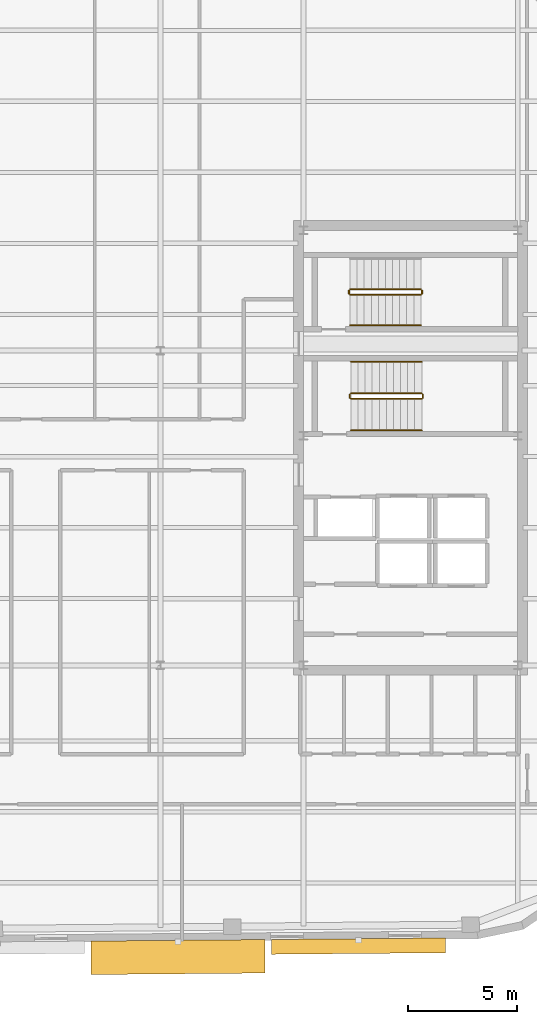
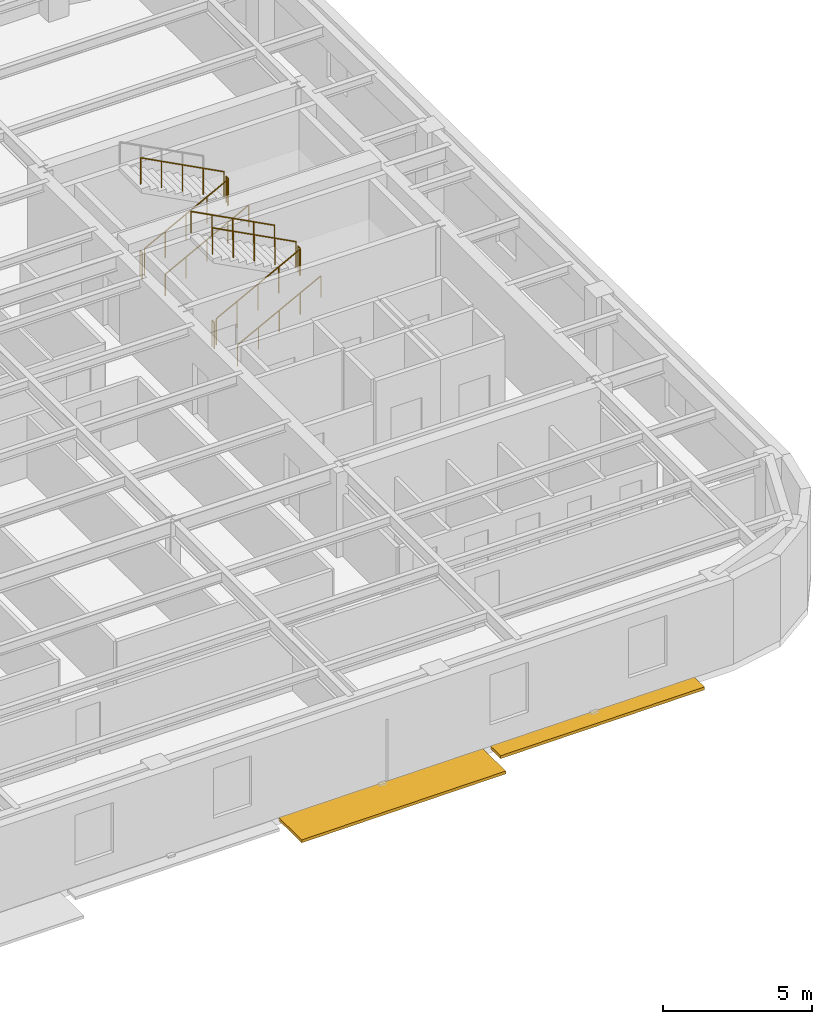
# One storey, part 12 of 13: 11 railings, 2 shading devices.
"""IFC4 building model written with IfcOpenShell, lengths in metres."""

import ifcopenshell
import ifcopenshell.guid

model = None  # the IFC model being written
_history = None  # IfcOwnerHistory: only IFC2X3 demands one
_inside = {}  # id of a spatial element -> (the spatial element, [elements in it])
_under = {}  # id of a project, library or spatial element -> (it, [spatial elements below it])
_declared = {}  # id of a project -> (the project, [libraries it declares])
_typed = {}  # id of a type object -> (the type object, [elements of that type])
_made_of = {}  # id of a material, layer set ... -> (it, [elements and type objects made of it])


def new_model(schema):
    """Start an empty IFC model of exactly this schema.

    Asked for "IFC4X3", IfcOpenShell would pick the latest addendum, in which some entities
    have other attributes; the version numbers below select the first issue.
    IFC2X3 requires an IfcOwnerHistory on every rooted entity: one is made here for all.
    """
    global model, _history
    if schema == "IFC4X3":
        model = ifcopenshell.file(schema_version=(4, 3, 0, 0))
    else:
        model = ifcopenshell.file(schema=schema)
    _inside.clear()
    _under.clear()
    _declared.clear()
    _typed.clear()
    _made_of.clear()
    _history = None
    if model.schema == "IFC2X3":
        org = make("IfcOrganization", Name="unknown")
        user = make(
            "IfcPersonAndOrganization",
            ThePerson=make("IfcPerson", FamilyName="unknown"),
            TheOrganization=org,
        )
        app = make(
            "IfcApplication",
            ApplicationDeveloper=org,
            Version="unknown",
            ApplicationFullName="unknown",
            ApplicationIdentifier="unknown",
        )
        _history = make(
            "IfcOwnerHistory",
            OwningUser=user,
            OwningApplication=app,
            ChangeAction="ADDED",
            CreationDate=0,
        )
    return model


def make(cls, **values):
    """One entity of the class cls with the attributes given. An attribute that is None is left unset."""
    return model.create_entity(
        cls, **{name: value for name, value in values.items() if value is not None}
    )


def rooted(cls, **values):
    """An entity with a GlobalId (a new one), such as an element, a storey or a relation."""
    return make(cls, GlobalId=ifcopenshell.guid.new(), OwnerHistory=_history, **values)


def si_unit(unit_type, name, prefix=None):
    """IfcSIUnit, for example si_unit("LENGTHUNIT", "METRE", prefix="MILLI")."""
    return make("IfcSIUnit", UnitType=unit_type, Prefix=prefix, Name=name)


def assignment(units):
    """IfcUnitAssignment: the units of a project."""
    return None if units is None else make("IfcUnitAssignment", Units=units)


def point(xyz):
    """IfcCartesianPoint."""
    return None if xyz is None else make("IfcCartesianPoint", Coordinates=xyz)


def direction(xyz):
    """IfcDirection."""
    return None if xyz is None else make("IfcDirection", DirectionRatios=xyz)


def frame(location, z_axis=None, x_axis=None):
    """IfcAxis2Placement3D, a coordinate frame: its origin and axes. An axis left out is left unset."""
    return make(
        "IfcAxis2Placement3D",
        Location=point(location),
        Axis=direction(z_axis),
        RefDirection=direction(x_axis),
    )


def frame_2d(location, x_axis=None):
    """IfcAxis2Placement2D, a coordinate frame in the plane: its origin and x axis."""
    return make(
        "IfcAxis2Placement2D", Location=point(location), RefDirection=direction(x_axis)
    )


def origin():
    """The frame at (0, 0, 0) with its axes left unset."""
    return frame((0.0, 0.0, 0.0))


def origin_2d():
    """The frame at (0, 0) in the plane with its x axis left unset."""
    return frame_2d((0.0, 0.0))


def place(relative_to, where):
    """IfcLocalPlacement: puts the frame where relative to a parent placement (None: the world)."""
    return make(
        "IfcLocalPlacement", PlacementRelTo=relative_to, RelativePlacement=where
    )


def context(
    kind, dimensions, precision=None, world=None, true_north=None, identifier=None
):
    """IfcGeometricRepresentationContext, for example the 3D "Model" context."""
    return make(
        "IfcGeometricRepresentationContext",
        ContextIdentifier=identifier,
        ContextType=kind,
        CoordinateSpaceDimension=dimensions,
        Precision=precision,
        WorldCoordinateSystem=world,
        TrueNorth=true_north,
    )


def subcontext(parent, identifier, kind, view, scale=None):
    """IfcGeometricRepresentationSubContext, for example "Body" below "Model"."""
    return make(
        "IfcGeometricRepresentationSubContext",
        ContextIdentifier=identifier,
        ContextType=kind,
        ParentContext=parent,
        TargetScale=scale,
        TargetView=view,
    )


def project(units=None, contexts=None):
    """IfcProject with its units and contexts."""
    return rooted(
        "IfcProject",
        Name="project",
        RepresentationContexts=contexts,
        UnitsInContext=assignment(units),
    )


def spatial(cls, under=None, at=None, **own):
    """A site, building, storey or space (cls), placed at a placement, below another one or the project."""
    s = rooted(cls, ObjectPlacement=at, **own)
    if under is not None:
        _under.setdefault(under.id(), (under, []))[1].append(s)
    return s


def profile(cls, at=None, kind="AREA", **sizes):
    """A parametric profile (cls). Its sizes go by their IFC names, for example OverallWidth=200.0."""
    return make(cls, ProfileType=kind, Position=at, **sizes)


def rectangle(**sizes):
    """IfcRectangleProfileDef."""
    return profile("IfcRectangleProfileDef", **sizes)


def circle(**sizes):
    """IfcCircleProfileDef."""
    return profile("IfcCircleProfileDef", **sizes)


def extrude(swept, where, along, depth):
    """IfcExtrudedAreaSolid: the profile swept, set in the frame where, extruded along a direction by depth."""
    return make(
        "IfcExtrudedAreaSolid",
        SweptArea=swept,
        Position=where,
        ExtrudedDirection=direction(along),
        Depth=depth,
    )


def shape(context_of_items, identifier, shape_type, items):
    """IfcShapeRepresentation: the items that make up one representation, for example the "Body"."""
    return make(
        "IfcShapeRepresentation",
        ContextOfItems=context_of_items,
        RepresentationIdentifier=identifier,
        RepresentationType=shape_type,
        Items=items,
    )


def material(Name=None, Category=None):
    """IfcMaterial."""
    return make("IfcMaterial", Name=Name, Category=Category)


def made_of(thing, what):
    """Note that an element or type object is made of a material, layer set ...; save() writes the relation."""
    if what is not None:
        _made_of.setdefault(what.id(), (what, []))[1].append(thing)
    return thing


def type_object(cls, material=None, **own):
    """A type object (cls), such as IfcWallType, which elements share."""
    return made_of(rooted(cls, **own), material)


def element(
    cls,
    number,
    at=None,
    inside=None,
    cuts=None,
    type_object=None,
    material=None,
    context=None,
    identifier="Body",
    shape_type=None,
    held_by="IfcProductDefinitionShape",
    body=None,
    shapes=None,
    **own,
):
    """One element of the class cls, such as IfcWall. Its Tag is "e" and its number.

    at: its placement. inside: the storey or other place that contains it. cuts: it is an
    opening in that element (IfcRelVoidsElement). A single representation is given by context,
    identifier, shape_type and body (its items); several are given by shapes. held_by: the class
    of the entity that holds the representations. save() writes the other relations.
    """
    e = rooted(cls, Tag="e%d" % number, ObjectPlacement=at, **own)
    if body is not None:
        shapes = [shape(context, identifier, shape_type, body)]
    if shapes is not None:
        e.Representation = make(held_by, Representations=shapes)
    if inside is not None:
        _inside.setdefault(inside.id(), (inside, []))[1].append(e)
    if cuts is not None:
        rooted(
            "IfcRelVoidsElement", RelatingBuildingElement=cuts, RelatedOpeningElement=e
        )
    if type_object is not None:
        _typed.setdefault(type_object.id(), (type_object, []))[1].append(e)
    return made_of(e, material)


def aggregate(whole, parts):
    """IfcRelAggregates: a whole, such as a stair, and the parts it consists of."""
    return rooted("IfcRelAggregates", RelatingObject=whole, RelatedObjects=parts)


def save(model, path):
    """Write the relations noted so far, then the file.

    IfcRelAggregates (storeys below a building ...), IfcRelContainedInSpatialStructure (elements
    in a storey), IfcRelDefinesByType, IfcRelAssociatesMaterial and IfcRelDeclares: one each for
    every whole, place, type object, material and project.
    """
    for whole, parts in _under.values():
        aggregate(whole, parts)
    for where, things in _inside.values():
        rooted(
            "IfcRelContainedInSpatialStructure",
            RelatedElements=things,
            RelatingStructure=where,
        )
    for kind, things in _typed.values():
        rooted("IfcRelDefinesByType", RelatedObjects=things, RelatingType=kind)
    for what, things in _made_of.values():
        rooted("IfcRelAssociatesMaterial", RelatedObjects=things, RelatingMaterial=what)
    for by, libraries in _declared.values():
        rooted("IfcRelDeclares", RelatingContext=by, RelatedDefinitions=libraries)
    model.write(path)


model = new_model("IFC4")

# Units and contexts
model_context = context("Model", 3, precision=1e-05, world=origin(), true_north=direction((0.0, 1.0)))
body_context = subcontext(model_context, "Body", "Model", "MODEL_VIEW")
ifc_project = project(units=[si_unit("LENGTHUNIT", "METRE"), si_unit("AREAUNIT", "SQUARE_METRE"), si_unit("VOLUMEUNIT", "CUBIC_METRE"), si_unit("PLANEANGLEUNIT", "RADIAN"), si_unit("MASSUNIT", "GRAM", prefix="KILO")], contexts=[model_context])

# Site, building, storey
site_placement = place(None, origin())
site = spatial("IfcSite", under=ifc_project, at=site_placement, CompositionType="ELEMENT")
building_placement = place(site_placement, origin())
building = spatial("IfcBuilding", under=site, at=building_placement, Name="Kolvaren Arena Tower", CompositionType="ELEMENT")
storey_placement = place(building_placement, frame((0.0, 0.0, 301.14990234375)))
storey = spatial("IfcBuildingStorey", under=building, at=storey_placement, Name="L74", CompositionType="ELEMENT", Elevation=301.14990234375)

# Railings
ifc_material_1 = material(Name="Painted galvanized steel", Category="steel")
railing_type_1 = type_object("IfcRailingType", Name="GUARD-ST-110", PredefinedType="GUARDRAIL", material=ifc_material_1)
railing_1_placement = place(storey_placement, frame((52.719970703125, 31.639892578125, 0.170654296875)))
element("IfcRailing", 1, at=railing_1_placement, inside=storey, type_object=railing_type_1, Name="L74 ST-E1 stair guard 1", PredefinedType="GUARDRAIL", context=body_context, shape_type="SweptSolid", body=[
    extrude(circle(Radius=0.02392578125, at=origin_2d()), frame((0.0, 0.0, 1.076171875), z_axis=(0.885020909582, 0.0, 0.465551274945), x_axis=(0.0, 1.0, 0.0)), (0.0, 0.0, 1.0), 3.660888671875),
    extrude(circle(Radius=0.02099609375, at=origin_2d()), origin(), (0.0, 0.0, 1.0), 1.052001953125),
    extrude(circle(Radius=0.02099609375, at=origin_2d()), frame((0.81005859375, 0.0, 0.426025390625)), (0.0, 0.0, 1.0), 1.052001953125),
    extrude(circle(Radius=0.02099609375, at=origin_2d()), frame((1.6201171875, 0.0, 0.85205078125)), (0.0, 0.0, 1.0), 1.052001953125),
    extrude(circle(Radius=0.02099609375, at=origin_2d()), frame((2.429931640625, 0.0, 1.2783203125)), (0.0, 0.0, 1.0), 1.052001953125),
    extrude(circle(Radius=0.02099609375, at=origin_2d()), frame((3.239990234375, 0.0, 1.704345703125)), (0.0, 0.0, 1.0), 1.052001953125),
])
railing_2_placement = place(storey_placement, frame((56.010009765625, 31.68994140625, 1.875)))
element("IfcRailing", 2, at=railing_2_placement, inside=storey, type_object=railing_type_1, Name="L74 ST-E1 stair guard 2", PredefinedType="GUARDRAIL", context=body_context, shape_type="SweptSolid", body=[
    extrude(circle(Radius=0.02392578125, at=origin_2d()), frame((0.0, 0.0, 1.076171875), z_axis=(0.0, 1.0, 0.0), x_axis=(-1.0, 0.0, 0.0)), (0.0, 0.0, 1.0), 0.150146484375),
    extrude(circle(Radius=0.02099609375, at=origin_2d()), origin(), (0.0, 0.0, 1.0), 1.052001953125),
    extrude(circle(Radius=0.02099609375, at=origin_2d()), frame((0.0, 0.150146484375, 0.0)), (0.0, 0.0, 1.0), 1.052001953125),
])
railing_3_placement = place(storey_placement, frame((55.9599609375, 31.889892578125, 2.045654296875)))
element("IfcRailing", 3, at=railing_3_placement, inside=storey, type_object=railing_type_1, Name="L74 ST-E1 stair guard 3", PredefinedType="GUARDRAIL", context=body_context, shape_type="SweptSolid", body=[
    extrude(circle(Radius=0.02392578125, at=origin_2d()), frame((0.0, 0.0, 1.076171875), z_axis=(-0.885020909582, 0.0, 0.465551274945), x_axis=(0.0, -1.0, 0.0)), (0.0, 0.0, 1.0), 3.660888671875),
    extrude(circle(Radius=0.02099609375, at=origin_2d()), origin(), (0.0, 0.0, 1.0), 1.052001953125),
    extrude(circle(Radius=0.02099609375, at=origin_2d()), frame((-0.81005859375, 0.0, 0.426025390625)), (0.0, 0.0, 1.0), 1.052001953125),
    extrude(circle(Radius=0.02099609375, at=origin_2d()), frame((-1.6201171875, 0.0, 0.85205078125)), (0.0, 0.0, 1.0), 1.052001953125),
    extrude(circle(Radius=0.02099609375, at=origin_2d()), frame((-2.429931640625, 0.0, 1.2783203125)), (0.0, 0.0, 1.0), 1.052001953125),
    extrude(circle(Radius=0.02099609375, at=origin_2d()), frame((-3.239990234375, 0.0, 1.704345703125)), (0.0, 0.0, 1.0), 1.052001953125),
])
railing_4_placement = place(storey_placement, frame((52.669921875, 31.68994140625, 0.0)))
element("IfcRailing", 4, at=railing_4_placement, inside=storey, type_object=railing_type_1, Name="L74 ST-E1 stair guard 4", PredefinedType="GUARDRAIL", context=body_context, shape_type="SweptSolid", body=[
    extrude(circle(Radius=0.02392578125, at=origin_2d()), frame((0.0, 0.0, 1.076171875), z_axis=(0.0, 1.0, 0.0), x_axis=(-1.0, 0.0, 0.0)), (0.0, 0.0, 1.0), 0.150146484375),
    extrude(circle(Radius=0.02099609375, at=origin_2d()), origin(), (0.0, 0.0, 1.0), 1.052001953125),
    extrude(circle(Radius=0.02099609375, at=origin_2d()), frame((0.0, 0.150146484375, 0.0)), (0.0, 0.0, 1.0), 1.052001953125),
])
railing_5_placement = place(storey_placement, frame((52.679931640625, 36.39990234375, 0.170654296875)))
element("IfcRailing", 5, at=railing_5_placement, inside=storey, type_object=railing_type_1, Name="L74 ST-E2 stair guard 1", PredefinedType="GUARDRAIL", context=body_context, shape_type="SweptSolid", body=[
    extrude(circle(Radius=0.02392578125, at=origin_2d()), frame((0.0, 0.0, 1.076171875), z_axis=(0.885020909582, 0.0, 0.465551274945), x_axis=(0.0, 1.0, 0.0)), (0.0, 0.0, 1.0), 3.660888671875),
    extrude(circle(Radius=0.02099609375, at=origin_2d()), origin(), (0.0, 0.0, 1.0), 1.052001953125),
    extrude(circle(Radius=0.02099609375, at=origin_2d()), frame((0.81005859375, 0.0, 0.426025390625)), (0.0, 0.0, 1.0), 1.052001953125),
    extrude(circle(Radius=0.02099609375, at=origin_2d()), frame((1.6201171875, 0.0, 0.85205078125)), (0.0, 0.0, 1.0), 1.052001953125),
    extrude(circle(Radius=0.02099609375, at=origin_2d()), frame((2.429931640625, 0.0, 1.2783203125)), (0.0, 0.0, 1.0), 1.052001953125),
    extrude(circle(Radius=0.02099609375, at=origin_2d()), frame((3.239990234375, 0.0, 1.704345703125)), (0.0, 0.0, 1.0), 1.052001953125),
])
railing_6_placement = place(storey_placement, frame((55.969970703125, 36.449951171875, 1.875)))
element("IfcRailing", 6, at=railing_6_placement, inside=storey, type_object=railing_type_1, Name="L74 ST-E2 stair guard 2", PredefinedType="GUARDRAIL", context=body_context, shape_type="SweptSolid", body=[
    extrude(circle(Radius=0.02392578125, at=origin_2d()), frame((0.0, 0.0, 1.076171875), z_axis=(0.0, 1.0, 0.0), x_axis=(-1.0, 0.0, 0.0)), (0.0, 0.0, 1.0), 0.150146484375),
    extrude(circle(Radius=0.02099609375, at=origin_2d()), origin(), (0.0, 0.0, 1.0), 1.052001953125),
    extrude(circle(Radius=0.02099609375, at=origin_2d()), frame((0.0, 0.150146484375, 0.0)), (0.0, 0.0, 1.0), 1.052001953125),
])
railing_7_placement = place(storey_placement, frame((55.919921875, 36.64990234375, 2.045654296875)))
element("IfcRailing", 7, at=railing_7_placement, inside=storey, type_object=railing_type_1, Name="L74 ST-E2 stair guard 3", PredefinedType="GUARDRAIL", context=body_context, shape_type="SweptSolid", body=[
    extrude(circle(Radius=0.02392578125, at=origin_2d()), frame((0.0, 0.0, 1.076171875), z_axis=(-0.885020909582, 0.0, 0.465551274945), x_axis=(0.0, -1.0, 0.0)), (0.0, 0.0, 1.0), 3.660888671875),
    extrude(circle(Radius=0.02099609375, at=origin_2d()), origin(), (0.0, 0.0, 1.0), 1.052001953125),
    extrude(circle(Radius=0.02099609375, at=origin_2d()), frame((-0.81005859375, 0.0, 0.426025390625)), (0.0, 0.0, 1.0), 1.052001953125),
    extrude(circle(Radius=0.02099609375, at=origin_2d()), frame((-1.6201171875, 0.0, 0.85205078125)), (0.0, 0.0, 1.0), 1.052001953125),
    extrude(circle(Radius=0.02099609375, at=origin_2d()), frame((-2.429931640625, 0.0, 1.2783203125)), (0.0, 0.0, 1.0), 1.052001953125),
    extrude(circle(Radius=0.02099609375, at=origin_2d()), frame((-3.239990234375, 0.0, 1.704345703125)), (0.0, 0.0, 1.0), 1.052001953125),
])
railing_8_placement = place(storey_placement, frame((52.6298828125, 36.449951171875, 0.0)))
element("IfcRailing", 8, at=railing_8_placement, inside=storey, type_object=railing_type_1, Name="L74 ST-E2 stair guard 4", PredefinedType="GUARDRAIL", context=body_context, shape_type="SweptSolid", body=[
    extrude(circle(Radius=0.02392578125, at=origin_2d()), frame((0.0, 0.0, 1.076171875), z_axis=(0.0, 1.0, 0.0), x_axis=(-1.0, 0.0, 0.0)), (0.0, 0.0, 1.0), 0.150146484375),
    extrude(circle(Radius=0.02099609375, at=origin_2d()), origin(), (0.0, 0.0, 1.0), 1.052001953125),
    extrude(circle(Radius=0.02099609375, at=origin_2d()), frame((0.0, 0.150146484375, 0.0)), (0.0, 0.0, 1.0), 1.052001953125),
])
ifc_material_2 = material(Name="Brushed stainless steel handrail", Category="steel")
railing_type_2 = type_object("IfcRailingType", Name="HRAIL-900", PredefinedType="HANDRAIL", material=ifc_material_2)
railing_9_placement = place(storey_placement, frame((52.719970703125, 30.199951171875, 0.170654296875)))
element("IfcRailing", 9, at=railing_9_placement, inside=storey, type_object=railing_type_2, Name="L74 ST-E1 stair handrail 1", PredefinedType="HANDRAIL", context=body_context, shape_type="SweptSolid", body=[
    extrude(circle(Radius=0.02392578125, at=origin_2d()), frame((0.0, 0.0, 0.8759765625), z_axis=(0.885020909582, 0.0, 0.465551274945), x_axis=(0.0, 1.0, 0.0)), (0.0, 0.0, 1.0), 3.660888671875),
    extrude(circle(Radius=0.02099609375, at=origin_2d()), origin(), (0.0, 0.0, 1.0), 0.851806640625),
    extrude(circle(Radius=0.02099609375, at=origin_2d()), frame((0.81005859375, 0.0, 0.426025390625)), (0.0, 0.0, 1.0), 0.851806640625),
    extrude(circle(Radius=0.02099609375, at=origin_2d()), frame((1.6201171875, 0.0, 0.85205078125)), (0.0, 0.0, 1.0), 0.851806640625),
    extrude(circle(Radius=0.02099609375, at=origin_2d()), frame((2.429931640625, 0.0, 1.2783203125)), (0.0, 0.0, 1.0), 0.851806640625),
    extrude(circle(Radius=0.02099609375, at=origin_2d()), frame((3.239990234375, 0.0, 1.704345703125)), (0.0, 0.0, 1.0), 0.851806640625),
])
railing_10_placement = place(storey_placement, frame((55.9599609375, 33.330078125, 2.045654296875)))
element("IfcRailing", 10, at=railing_10_placement, inside=storey, type_object=railing_type_2, Name="L74 ST-E1 stair handrail 2", PredefinedType="HANDRAIL", context=body_context, shape_type="SweptSolid", body=[
    extrude(circle(Radius=0.02392578125, at=origin_2d()), frame((0.0, 0.0, 0.8759765625), z_axis=(-0.885020909582, 0.0, 0.465551274945), x_axis=(0.0, -1.0, 0.0)), (0.0, 0.0, 1.0), 3.660888671875),
    extrude(circle(Radius=0.02099609375, at=origin_2d()), origin(), (0.0, 0.0, 1.0), 0.851806640625),
    extrude(circle(Radius=0.02099609375, at=origin_2d()), frame((-0.81005859375, 0.0, 0.426025390625)), (0.0, 0.0, 1.0), 0.851806640625),
    extrude(circle(Radius=0.02099609375, at=origin_2d()), frame((-1.6201171875, 0.0, 0.85205078125)), (0.0, 0.0, 1.0), 0.851806640625),
    extrude(circle(Radius=0.02099609375, at=origin_2d()), frame((-2.429931640625, 0.0, 1.2783203125)), (0.0, 0.0, 1.0), 0.851806640625),
    extrude(circle(Radius=0.02099609375, at=origin_2d()), frame((-3.239990234375, 0.0, 1.704345703125)), (0.0, 0.0, 1.0), 0.851806640625),
])
railing_11_placement = place(storey_placement, frame((52.679931640625, 35.0, 0.170654296875)))
element("IfcRailing", 11, at=railing_11_placement, inside=storey, type_object=railing_type_2, Name="L74 ST-E2 stair handrail 1", PredefinedType="HANDRAIL", context=body_context, shape_type="SweptSolid", body=[
    extrude(circle(Radius=0.02392578125, at=origin_2d()), frame((0.0, 0.0, 0.8759765625), z_axis=(0.885020909582, 0.0, 0.465551274945), x_axis=(0.0, 1.0, 0.0)), (0.0, 0.0, 1.0), 3.660888671875),
    extrude(circle(Radius=0.02099609375, at=origin_2d()), origin(), (0.0, 0.0, 1.0), 0.851806640625),
    extrude(circle(Radius=0.02099609375, at=origin_2d()), frame((0.81005859375, 0.0, 0.426025390625)), (0.0, 0.0, 1.0), 0.851806640625),
    extrude(circle(Radius=0.02099609375, at=origin_2d()), frame((1.6201171875, 0.0, 0.85205078125)), (0.0, 0.0, 1.0), 0.851806640625),
    extrude(circle(Radius=0.02099609375, at=origin_2d()), frame((2.429931640625, 0.0, 1.2783203125)), (0.0, 0.0, 1.0), 0.851806640625),
    extrude(circle(Radius=0.02099609375, at=origin_2d()), frame((3.239990234375, 0.0, 1.704345703125)), (0.0, 0.0, 1.0), 0.851806640625),
])

# Shading devices
ifc_material_3 = material(Name="Architectural precast GFRC and anodised aluminium sunshade", Category="concrete")
shading_device_type_1 = type_object("IfcShadingDeviceType", Name="SHAD-SINE-A", PredefinedType="USERDEFINED", material=ifc_material_3)
shading_device_1_placement = place(storey_placement, frame((53.068603515625, 6.60791015625, -0.139892578125), z_axis=(0.0, 0.0, 1.0), x_axis=(-0.999961923064, -0.008726535498, 0.0)))
element("IfcShadingDevice", 12, at=shading_device_1_placement, inside=storey, type_object=shading_device_type_1, Name="Sinusoidal Slab-Edge Sunshade Louvre (L74)", ObjectType="LOUVRE", PredefinedType="USERDEFINED", context=body_context, shape_type="SweptSolid", body=[
    extrude(rectangle(XDim=7.9599609375, YDim=0.677001953125, at=origin_2d()), origin(), (0.0, 0.0, 1.0), 0.1201171875),
])
shading_device_type_2 = type_object("IfcShadingDeviceType", Name="SHAD-SINE-B", PredefinedType="JALOUSIE", material=ifc_material_3)
shading_device_2_placement = place(storey_placement, frame((44.812744140625, 6.10791015625, -0.139892578125), z_axis=(0.0, 0.0, 1.0), x_axis=(-0.999961923064, -0.008726535498, 0.0)))
element("IfcShadingDevice", 13, at=shading_device_2_placement, inside=storey, type_object=shading_device_type_2, Name="Sinusoidal Slab-Edge Sunshade Louvre (L74)", PredefinedType="JALOUSIE", context=body_context, shape_type="SweptSolid", body=[
    extrude(rectangle(XDim=7.9599609375, YDim=1.53271484375, at=origin_2d()), origin(), (0.0, 0.0, 1.0), 0.1201171875),
])

save(model, "model.ifc")
